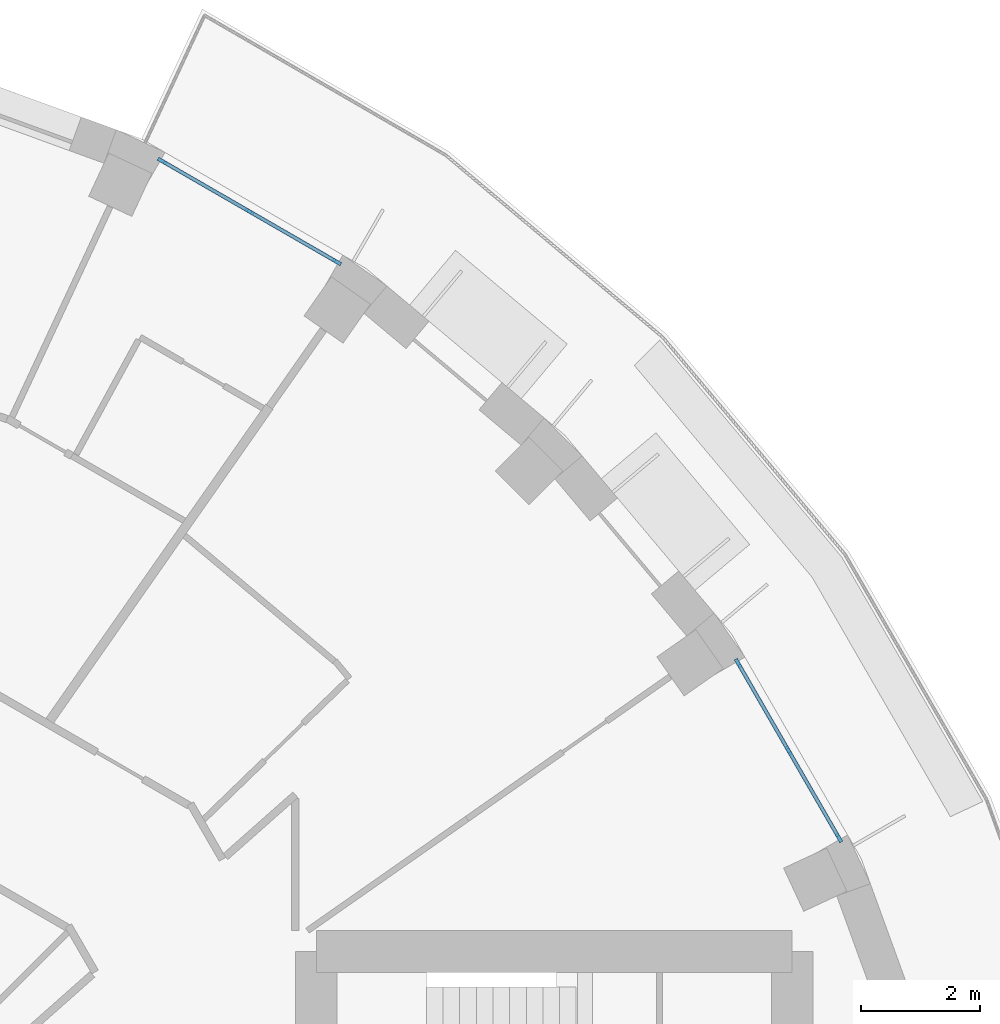
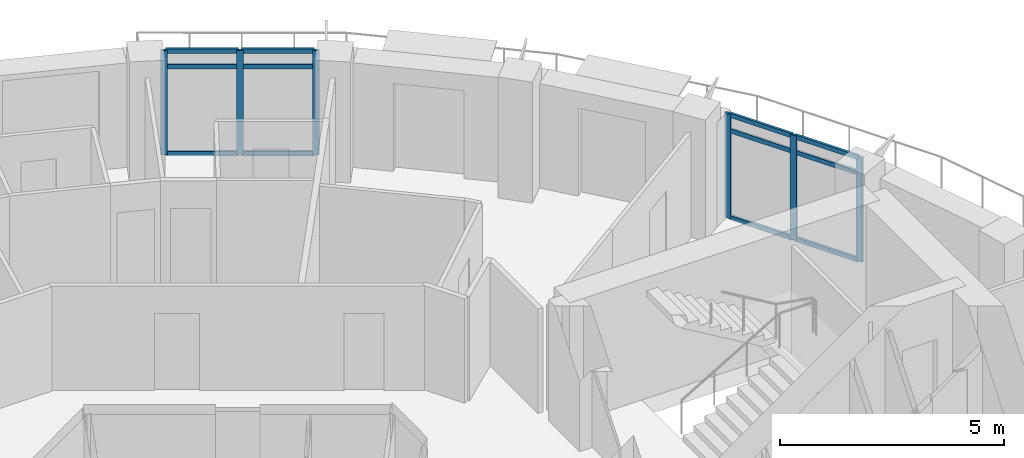
# One storey, part 2 of 15: 18 members, 2 elements without a shape of their own.
"""IFC4 building model written with IfcOpenShell, lengths in metres."""

from ifc_helpers import new_model, si_unit, direction, frame, origin, origin_2d, place, context, subcontext, project, spatial, rectangle, extrude, material, layer, layer_set, material_profile, profile_set, type_object, element, aggregate, save


model = new_model("IFC4")

# Units and contexts
model_context = context("Model", 3, precision=1e-05, world=origin(), true_north=direction((0.0, 1.0)))
body_context = subcontext(model_context, "Body", "Model", "MODEL_VIEW")
ifc_project = project(units=[si_unit("LENGTHUNIT", "METRE"), si_unit("AREAUNIT", "SQUARE_METRE"), si_unit("VOLUMEUNIT", "CUBIC_METRE"), si_unit("PLANEANGLEUNIT", "RADIAN"), si_unit("MASSUNIT", "GRAM", prefix="KILO")], contexts=[model_context])

# Site, building, storey
site_placement = place(None, origin())
site = spatial("IfcSite", under=ifc_project, at=site_placement, CompositionType="ELEMENT")
building_placement = place(site_placement, origin())
building = spatial("IfcBuilding", under=site, at=building_placement, Name="Saqina Gate Tower", CompositionType="ELEMENT")
storey_placement = place(building_placement, frame((0.0, 0.0, 190.5)))
storey = spatial("IfcBuildingStorey", under=building, at=storey_placement, Name="L54", CompositionType="ELEMENT", Elevation=190.5)

# Curtain wall, members
ifc_material_1 = material(Name="Aluminium glazing", Category="aluminium")
ifc_layer = layer(ifc_material_1, 0.159912109375)
ifc_layer_set = layer_set([ifc_layer], Name="CWT-4")
curtain_wall_type = type_object("IfcCurtainWallType", Name="CWT-4", PredefinedType="NOTDEFINED", material=ifc_layer_set)
curtain_wall_1_placement = place(storey_placement, origin())
curtain_wall_1 = element("IfcCurtainWall", 1, at=curtain_wall_1_placement, inside=storey, type_object=curtain_wall_type, Name="Terrace lounge glazing facet 3", PredefinedType="NOTDEFINED")
ifc_material_2 = material(Name="Aluminium", Category="aluminium")
ifc_material_profile_1 = material_profile(ifc_material_2, rectangle(XDim=0.06005859375, YDim=0.159912109375, at=origin_2d()), Name="Aluminium 60x160")
ifc_profile_set_1 = profile_set([ifc_material_profile_1], Name="Aluminium")
member_type_1 = type_object("IfcMemberType", Name="CWT-4M", PredefinedType="MULLION", material=ifc_profile_set_1)
member_1_placement = place(storey_placement, frame((22.285888671875, 10.90966796875, 0.0), z_axis=(0.0, 0.0, 1.0), x_axis=(-0.866017110341, -0.500014364391, 0.0)))
member_1 = element("IfcMember", 2, at=member_1_placement, type_object=member_type_1, Name="CW4-03 mullion 1", PredefinedType="MULLION", context=body_context, shape_type="SweptSolid", body=[
    extrude(rectangle(XDim=0.06005859375, YDim=0.159912109375, at=origin_2d()), origin(), (0.0, 0.0, 1.0), 2.85009765625),
])
member_2_placement = place(storey_placement, frame((21.438232421875, 12.37744140625, 0.0), z_axis=(0.0, 0.0, 1.0), x_axis=(-0.866017110341, -0.500014364391, 0.0)))
member_2 = element("IfcMember", 3, at=member_2_placement, type_object=member_type_1, Name="CW4-03 mullion 2", PredefinedType="MULLION", context=body_context, shape_type="SweptSolid", body=[
    extrude(rectangle(XDim=0.06005859375, YDim=0.159912109375, at=origin_2d()), origin(), (0.0, 0.0, 1.0), 2.85009765625),
])
member_3_placement = place(storey_placement, frame((20.5908203125, 13.84521484375, 0.0), z_axis=(0.0, 0.0, 1.0), x_axis=(-0.866017110341, -0.500014364391, 0.0)))
member_3 = element("IfcMember", 4, at=member_3_placement, type_object=member_type_1, Name="CW4-03 mullion 3", PredefinedType="MULLION", context=body_context, shape_type="SweptSolid", body=[
    extrude(rectangle(XDim=0.06005859375, YDim=0.159912109375, at=origin_2d()), origin(), (0.0, 0.0, 1.0), 2.85009765625),
])

curtain_wall_2_placement = place(storey_placement, origin())
curtain_wall_2 = element("IfcCurtainWall", 5, at=curtain_wall_2_placement, inside=storey, type_object=curtain_wall_type, Name="Terrace lounge glazing facet 6", PredefinedType="NOTDEFINED")
member_4_placement = place(storey_placement, frame((13.84521484375, 20.5908203125, 0.0), z_axis=(0.0, 0.0, 1.0), x_axis=(-0.500014364391, -0.866017110341, 0.0)))
member_4 = element("IfcMember", 6, at=member_4_placement, type_object=member_type_1, Name="CW4-06 mullion 1", PredefinedType="MULLION", context=body_context, shape_type="SweptSolid", body=[
    extrude(rectangle(XDim=0.06005859375, YDim=0.159912109375, at=origin_2d()), origin(), (0.0, 0.0, 1.0), 2.85009765625),
])
member_5_placement = place(storey_placement, frame((12.37744140625, 21.438232421875, 0.0), z_axis=(0.0, 0.0, 1.0), x_axis=(-0.500014364391, -0.866017110341, 0.0)))
member_5 = element("IfcMember", 7, at=member_5_placement, type_object=member_type_1, Name="CW4-06 mullion 2", PredefinedType="MULLION", context=body_context, shape_type="SweptSolid", body=[
    extrude(rectangle(XDim=0.06005859375, YDim=0.159912109375, at=origin_2d()), origin(), (0.0, 0.0, 1.0), 2.85009765625),
])
member_6_placement = place(storey_placement, frame((10.90966796875, 22.285888671875, 0.0), z_axis=(0.0, 0.0, 1.0), x_axis=(-0.500014364391, -0.866017110341, 0.0)))
member_6 = element("IfcMember", 8, at=member_6_placement, type_object=member_type_1, Name="CW4-06 mullion 3", PredefinedType="MULLION", context=body_context, shape_type="SweptSolid", body=[
    extrude(rectangle(XDim=0.06005859375, YDim=0.159912109375, at=origin_2d()), origin(), (0.0, 0.0, 1.0), 2.85009765625),
])

# Member
ifc_material_3 = material(Name="Aluminium", Category="aluminium")
ifc_material_profile_2 = material_profile(ifc_material_3, rectangle(XDim=0.06005859375, YDim=0.1201171875, at=origin_2d()), Name="Aluminium 60x120")
ifc_profile_set_2 = profile_set([ifc_material_profile_2], Name="Aluminium")
member_type_2 = type_object("IfcMemberType", Name="CWT-4T", PredefinedType="USERDEFINED", material=ifc_profile_set_2)
member_7_placement = place(storey_placement, frame((22.270751953125, 10.935546875, 0.030029296875), z_axis=(-0.499929268946, 0.866066236526, 0.0), x_axis=(-0.866066236526, -0.499929268946, 0.0)))
member_7 = element("IfcMember", 9, at=member_7_placement, type_object=member_type_2, Name="CW4-03 transom 1.1", ObjectType="TRANSOM", PredefinedType="USERDEFINED", context=body_context, shape_type="SweptSolid", body=[
    extrude(rectangle(XDim=0.06005859375, YDim=0.1201171875, at=origin_2d()), origin(), (0.0, 0.0, 1.0), 1.635009765625),
])

member_8_placement = place(storey_placement, frame((22.270751953125, 10.935546875, 2.39990234375), z_axis=(-0.499929268946, 0.866066236526, 0.0), x_axis=(-0.866066236526, -0.499929268946, 0.0)))
member_8 = element("IfcMember", 10, at=member_8_placement, type_object=member_type_2, Name="CW4-03 transom 1.2", ObjectType="TRANSOM", PredefinedType="USERDEFINED", context=body_context, shape_type="SweptSolid", body=[
    extrude(rectangle(XDim=0.06005859375, YDim=0.1201171875, at=origin_2d()), origin(), (0.0, 0.0, 1.0), 1.635009765625),
])

member_9_placement = place(storey_placement, frame((22.270751953125, 10.935546875, 2.820068359375), z_axis=(-0.499929268946, 0.866066236526, 0.0), x_axis=(-0.866066236526, -0.499929268946, 0.0)))
member_9 = element("IfcMember", 11, at=member_9_placement, type_object=member_type_2, Name="CW4-03 transom 1.3", ObjectType="TRANSOM", PredefinedType="USERDEFINED", context=body_context, shape_type="SweptSolid", body=[
    extrude(rectangle(XDim=0.06005859375, YDim=0.1201171875, at=origin_2d()), origin(), (0.0, 0.0, 1.0), 1.635009765625),
])

member_10_placement = place(storey_placement, frame((21.42333984375, 12.4033203125, 0.030029296875), z_axis=(-0.499929268946, 0.866066236526, 0.0), x_axis=(-0.866066236526, -0.499929268946, 0.0)))
member_10 = element("IfcMember", 12, at=member_10_placement, type_object=member_type_2, Name="CW4-03 transom 2.1", ObjectType="TRANSOM", PredefinedType="USERDEFINED", context=body_context, shape_type="SweptSolid", body=[
    extrude(rectangle(XDim=0.06005859375, YDim=0.1201171875, at=origin_2d()), origin(), (0.0, 0.0, 1.0), 1.635009765625),
])

member_11_placement = place(storey_placement, frame((21.42333984375, 12.4033203125, 2.39990234375), z_axis=(-0.499929268946, 0.866066236526, 0.0), x_axis=(-0.866066236526, -0.499929268946, 0.0)))
member_11 = element("IfcMember", 13, at=member_11_placement, type_object=member_type_2, Name="CW4-03 transom 2.2", ObjectType="TRANSOM", PredefinedType="USERDEFINED", context=body_context, shape_type="SweptSolid", body=[
    extrude(rectangle(XDim=0.06005859375, YDim=0.1201171875, at=origin_2d()), origin(), (0.0, 0.0, 1.0), 1.635009765625),
])

member_12_placement = place(storey_placement, frame((21.42333984375, 12.4033203125, 2.820068359375), z_axis=(-0.499929268946, 0.866066236526, 0.0), x_axis=(-0.866066236526, -0.499929268946, 0.0)))
member_12 = element("IfcMember", 14, at=member_12_placement, type_object=member_type_2, Name="CW4-03 transom 2.3", ObjectType="TRANSOM", PredefinedType="USERDEFINED", context=body_context, shape_type="SweptSolid", body=[
    extrude(rectangle(XDim=0.06005859375, YDim=0.1201171875, at=origin_2d()), origin(), (0.0, 0.0, 1.0), 1.635009765625),
])

aggregate(curtain_wall_1, [member_1, member_2, member_3, member_7, member_8, member_9, member_10, member_11, member_12])

member_13_placement = place(storey_placement, frame((13.8193359375, 20.60595703125, 0.030029296875), z_axis=(-0.866066236526, 0.499929268946, 0.0), x_axis=(-0.499929268946, -0.866066236526, 0.0)))
member_13 = element("IfcMember", 15, at=member_13_placement, type_object=member_type_2, Name="CW4-06 transom 1.1", ObjectType="TRANSOM", PredefinedType="USERDEFINED", context=body_context, shape_type="SweptSolid", body=[
    extrude(rectangle(XDim=0.06005859375, YDim=0.1201171875, at=origin_2d()), origin(), (0.0, 0.0, 1.0), 1.635009765625),
])

member_14_placement = place(storey_placement, frame((13.8193359375, 20.60595703125, 2.39990234375), z_axis=(-0.866066236526, 0.499929268946, 0.0), x_axis=(-0.499929268946, -0.866066236526, 0.0)))
member_14 = element("IfcMember", 16, at=member_14_placement, type_object=member_type_2, Name="CW4-06 transom 1.2", ObjectType="TRANSOM", PredefinedType="USERDEFINED", context=body_context, shape_type="SweptSolid", body=[
    extrude(rectangle(XDim=0.06005859375, YDim=0.1201171875, at=origin_2d()), origin(), (0.0, 0.0, 1.0), 1.635009765625),
])

member_15_placement = place(storey_placement, frame((13.8193359375, 20.60595703125, 2.820068359375), z_axis=(-0.866066236526, 0.499929268946, 0.0), x_axis=(-0.499929268946, -0.866066236526, 0.0)))
member_15 = element("IfcMember", 17, at=member_15_placement, type_object=member_type_2, Name="CW4-06 transom 1.3", ObjectType="TRANSOM", PredefinedType="USERDEFINED", context=body_context, shape_type="SweptSolid", body=[
    extrude(rectangle(XDim=0.06005859375, YDim=0.1201171875, at=origin_2d()), origin(), (0.0, 0.0, 1.0), 1.635009765625),
])

member_16_placement = place(storey_placement, frame((12.3515625, 21.453369140625, 0.030029296875), z_axis=(-0.866066236526, 0.499929268946, 0.0), x_axis=(-0.499929268946, -0.866066236526, 0.0)))
member_16 = element("IfcMember", 18, at=member_16_placement, type_object=member_type_2, Name="CW4-06 transom 2.1", ObjectType="TRANSOM", PredefinedType="USERDEFINED", context=body_context, shape_type="SweptSolid", body=[
    extrude(rectangle(XDim=0.06005859375, YDim=0.1201171875, at=origin_2d()), origin(), (0.0, 0.0, 1.0), 1.635009765625),
])

member_17_placement = place(storey_placement, frame((12.3515625, 21.453369140625, 2.39990234375), z_axis=(-0.866066236526, 0.499929268946, 0.0), x_axis=(-0.499929268946, -0.866066236526, 0.0)))
member_17 = element("IfcMember", 19, at=member_17_placement, type_object=member_type_2, Name="CW4-06 transom 2.2", ObjectType="TRANSOM", PredefinedType="USERDEFINED", context=body_context, shape_type="SweptSolid", body=[
    extrude(rectangle(XDim=0.06005859375, YDim=0.1201171875, at=origin_2d()), origin(), (0.0, 0.0, 1.0), 1.635009765625),
])

member_18_placement = place(storey_placement, frame((12.3515625, 21.453369140625, 2.820068359375), z_axis=(-0.866066236526, 0.499929268946, 0.0), x_axis=(-0.499929268946, -0.866066236526, 0.0)))
member_18 = element("IfcMember", 20, at=member_18_placement, type_object=member_type_2, Name="CW4-06 transom 2.3", ObjectType="TRANSOM", PredefinedType="USERDEFINED", context=body_context, shape_type="SweptSolid", body=[
    extrude(rectangle(XDim=0.06005859375, YDim=0.1201171875, at=origin_2d()), origin(), (0.0, 0.0, 1.0), 1.635009765625),
])

aggregate(curtain_wall_2, [member_4, member_5, member_6, member_13, member_14, member_15, member_16, member_17, member_18])

save(model, "model.ifc")
